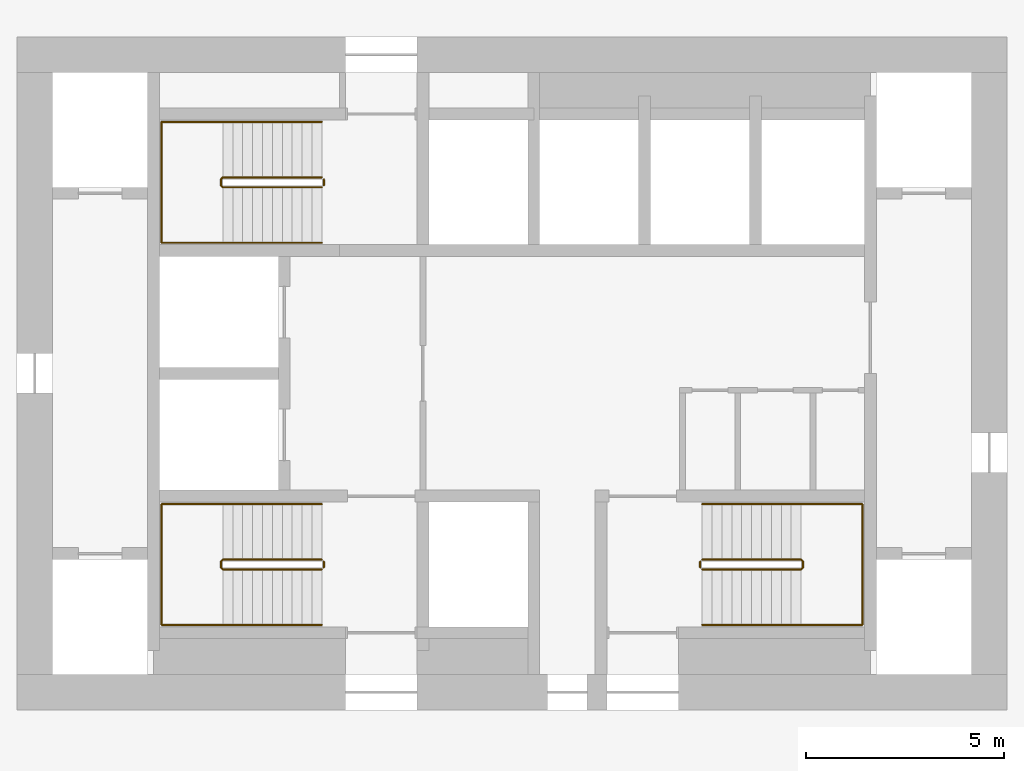
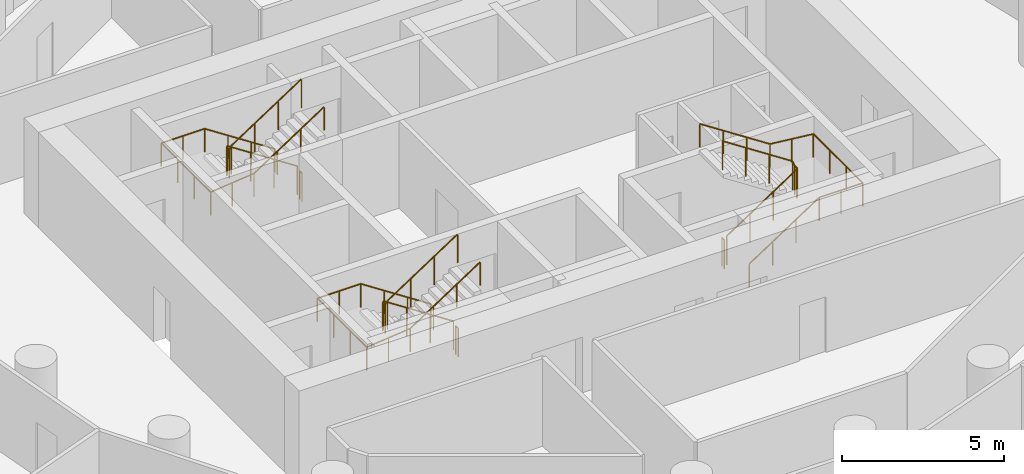
# One storey, part 9 of 9: 9 railings.
"""IFC4 building model written with IfcOpenShell, lengths in metres."""

from ifc_helpers import new_model, si_unit, direction, frame, origin, origin_2d, place, context, subcontext, project, spatial, circle, extrude, material, type_object, element, save


model = new_model("IFC4")

# Units and contexts
model_context = context("Model", 3, precision=1e-05, world=origin(), true_north=direction((0.0, 1.0)))
body_context = subcontext(model_context, "Body", "Model", "MODEL_VIEW")
ifc_project = project(units=[si_unit("LENGTHUNIT", "METRE"), si_unit("AREAUNIT", "SQUARE_METRE"), si_unit("VOLUMEUNIT", "CUBIC_METRE"), si_unit("PLANEANGLEUNIT", "RADIAN"), si_unit("MASSUNIT", "GRAM", prefix="KILO")], contexts=[model_context])

# Site, building, storey
site_placement = place(None, origin())
site = spatial("IfcSite", under=ifc_project, at=site_placement, CompositionType="ELEMENT")
building_placement = place(site_placement, origin())
building = spatial("IfcBuilding", under=site, at=building_placement, Name="Tracery Tower", CompositionType="ELEMENT")
storey_placement = place(building_placement, frame((0.0, 0.0, 169.199951171875)))
storey = spatial("IfcBuildingStorey", under=building, at=storey_placement, Name="L43", CompositionType="ELEMENT", Elevation=169.199951171875)

# Railings
ifc_material_1 = material(Name="Stainless steel and laminated glass", Category="steel")
railing_type_1 = type_object("IfcRailingType", Name="Stair guard 1100", PredefinedType="GUARDRAIL", material=ifc_material_1)
railing_1_placement = place(storey_placement, frame((-4.800048828125, -4.699951171875, 0.16357421875)))
element("IfcRailing", 1, at=railing_1_placement, inside=storey, type_object=railing_type_1, Name="L43 stair ST1 guard 1", PredefinedType="GUARDRAIL", context=body_context, shape_type="SweptSolid", body=[
    extrude(circle(Radius=0.02392578125, at=origin_2d()), frame((0.0, 0.0, 1.076171875), z_axis=(-0.83668449804, 0.0, 0.54768517484), x_axis=(0.0, -1.0, 0.0)), (0.0, 0.0, 1.0), 2.988037109375),
    extrude(circle(Radius=0.02392578125, at=origin_2d()), frame((-2.5, 0.0, 2.71240234375), z_axis=(-0.707106781187, -0.707106781187, 0.0), x_axis=(0.707106781187, -0.707106781187, 0.0)), (0.0, 0.0, 1.0), 0.07080078125),
    extrude(circle(Radius=0.02392578125, at=origin_2d()), frame((-2.550048828125, -0.050048828125, 2.71240234375), z_axis=(0.0, -1.0, 0.0), x_axis=(1.0, 0.0, 0.0)), (0.0, 0.0, 1.0), 0.14990234375),
    extrude(circle(Radius=0.02392578125, at=origin_2d()), frame((-2.550048828125, -0.199951171875, 2.71240234375), z_axis=(0.280808744504, -0.280808744504, 0.917765164963), x_axis=(0.707106781187, 0.707106781187, 0.0)), (0.0, 0.0, 1.0), 0.17822265625),
    extrude(circle(Radius=0.02392578125, at=origin_2d()), frame((-2.5, -0.25, 2.8759765625), z_axis=(0.83668449804, 0.0, 0.54768517484), x_axis=(0.0, 1.0, 0.0)), (0.0, 0.0, 1.0), 2.988037109375),
    extrude(circle(Radius=0.02099609375, at=origin_2d()), origin(), (0.0, 0.0, 1.0), 1.052001953125),
    extrude(circle(Radius=0.02099609375, at=origin_2d()), frame((-0.833251953125, 0.0, 0.54541015625)), (0.0, 0.0, 1.0), 1.052001953125),
    extrude(circle(Radius=0.02099609375, at=origin_2d()), frame((-1.666748046875, 0.0, 1.091064453125)), (0.0, 0.0, 1.0), 1.052001953125),
    extrude(circle(Radius=0.02099609375, at=origin_2d()), frame((-2.5, 0.0, 1.636474609375)), (0.0, 0.0, 1.0), 1.052001953125),
    extrude(circle(Radius=0.02099609375, at=origin_2d()), frame((-2.550048828125, -0.050048828125, 1.636474609375)), (0.0, 0.0, 1.0), 1.052001953125),
    extrude(circle(Radius=0.02099609375, at=origin_2d()), frame((-2.550048828125, -0.199951171875, 1.636474609375)), (0.0, 0.0, 1.0), 1.052001953125),
    extrude(circle(Radius=0.02099609375, at=origin_2d()), frame((-2.5, -0.25, 1.800048828125)), (0.0, 0.0, 1.0), 1.052001953125),
    extrude(circle(Radius=0.02099609375, at=origin_2d()), frame((-1.666748046875, -0.25, 2.345458984375)), (0.0, 0.0, 1.0), 1.052001953125),
    extrude(circle(Radius=0.02099609375, at=origin_2d()), frame((-0.833251953125, -0.25, 2.89111328125)), (0.0, 0.0, 1.0), 1.052001953125),
    extrude(circle(Radius=0.02099609375, at=origin_2d()), frame((0.0, -0.25, 3.4365234375)), (0.0, 0.0, 1.0), 1.052001953125),
])
railing_2_placement = place(storey_placement, frame((-4.75, -4.75, 0.0)))
element("IfcRailing", 2, at=railing_2_placement, inside=storey, type_object=railing_type_1, Name="L43 stair ST1 guard 2", PredefinedType="GUARDRAIL", context=body_context, shape_type="SweptSolid", body=[
    extrude(circle(Radius=0.02392578125, at=origin_2d()), frame((0.0, 0.0, 1.076171875), z_axis=(0.0, -1.0, 0.0), x_axis=(1.0, 0.0, 0.0)), (0.0, 0.0, 1.0), 0.14990234375),
    extrude(circle(Radius=0.02099609375, at=origin_2d()), origin(), (0.0, 0.0, 1.0), 1.052001953125),
    extrude(circle(Radius=0.02099609375, at=origin_2d()), frame((0.0, -0.14990234375, 0.0)), (0.0, 0.0, 1.0), 1.052001953125),
])
railing_3_placement = place(storey_placement, frame((-4.800048828125, 4.949951171875, 0.16357421875)))
element("IfcRailing", 3, at=railing_3_placement, inside=storey, type_object=railing_type_1, Name="L43 stair ST3 guard 1", PredefinedType="GUARDRAIL", context=body_context, shape_type="SweptSolid", body=[
    extrude(circle(Radius=0.02392578125, at=origin_2d()), frame((0.0, 0.0, 1.076171875), z_axis=(-0.83668449804, 0.0, 0.54768517484), x_axis=(0.0, -1.0, 0.0)), (0.0, 0.0, 1.0), 2.988037109375),
    extrude(circle(Radius=0.02392578125, at=origin_2d()), frame((-2.5, 0.0, 2.71240234375), z_axis=(-0.707106781187, -0.707106781187, 0.0), x_axis=(0.707106781187, -0.707106781187, 0.0)), (0.0, 0.0, 1.0), 0.07080078125),
    extrude(circle(Radius=0.02392578125, at=origin_2d()), frame((-2.550048828125, -0.050048828125, 2.71240234375), z_axis=(0.0, -1.0, 0.0), x_axis=(1.0, 0.0, 0.0)), (0.0, 0.0, 1.0), 0.14990234375),
    extrude(circle(Radius=0.02392578125, at=origin_2d()), frame((-2.550048828125, -0.199951171875, 2.71240234375), z_axis=(0.280808744504, -0.280808744504, 0.917765164963), x_axis=(0.707106781187, 0.707106781187, 0.0)), (0.0, 0.0, 1.0), 0.17822265625),
    extrude(circle(Radius=0.02392578125, at=origin_2d()), frame((-2.5, -0.25, 2.8759765625), z_axis=(0.83668449804, 0.0, 0.54768517484), x_axis=(0.0, 1.0, 0.0)), (0.0, 0.0, 1.0), 2.988037109375),
    extrude(circle(Radius=0.02099609375, at=origin_2d()), origin(), (0.0, 0.0, 1.0), 1.052001953125),
    extrude(circle(Radius=0.02099609375, at=origin_2d()), frame((-0.833251953125, 0.0, 0.54541015625)), (0.0, 0.0, 1.0), 1.052001953125),
    extrude(circle(Radius=0.02099609375, at=origin_2d()), frame((-1.666748046875, 0.0, 1.091064453125)), (0.0, 0.0, 1.0), 1.052001953125),
    extrude(circle(Radius=0.02099609375, at=origin_2d()), frame((-2.5, 0.0, 1.636474609375)), (0.0, 0.0, 1.0), 1.052001953125),
    extrude(circle(Radius=0.02099609375, at=origin_2d()), frame((-2.550048828125, -0.050048828125, 1.636474609375)), (0.0, 0.0, 1.0), 1.052001953125),
    extrude(circle(Radius=0.02099609375, at=origin_2d()), frame((-2.550048828125, -0.199951171875, 1.636474609375)), (0.0, 0.0, 1.0), 1.052001953125),
    extrude(circle(Radius=0.02099609375, at=origin_2d()), frame((-2.5, -0.25, 1.800048828125)), (0.0, 0.0, 1.0), 1.052001953125),
    extrude(circle(Radius=0.02099609375, at=origin_2d()), frame((-1.666748046875, -0.25, 2.345458984375)), (0.0, 0.0, 1.0), 1.052001953125),
    extrude(circle(Radius=0.02099609375, at=origin_2d()), frame((-0.833251953125, -0.25, 2.89111328125)), (0.0, 0.0, 1.0), 1.052001953125),
    extrude(circle(Radius=0.02099609375, at=origin_2d()), frame((0.0, -0.25, 3.4365234375)), (0.0, 0.0, 1.0), 1.052001953125),
])
railing_4_placement = place(storey_placement, frame((-4.75, 4.89990234375, 0.0)))
element("IfcRailing", 4, at=railing_4_placement, inside=storey, type_object=railing_type_1, Name="L43 stair ST3 guard 2", PredefinedType="GUARDRAIL", context=body_context, shape_type="SweptSolid", body=[
    extrude(circle(Radius=0.02392578125, at=origin_2d()), frame((0.0, 0.0, 1.076171875), z_axis=(0.0, -1.0, 0.0), x_axis=(1.0, 0.0, 0.0)), (0.0, 0.0, 1.0), 0.14990234375),
    extrude(circle(Radius=0.02099609375, at=origin_2d()), origin(), (0.0, 0.0, 1.0), 1.052001953125),
    extrude(circle(Radius=0.02099609375, at=origin_2d()), frame((0.0, -0.14990234375, 0.0)), (0.0, 0.0, 1.0), 1.052001953125),
])
railing_5_placement = place(storey_placement, frame((4.800048828125, -4.949951171875, 0.16357421875)))
element("IfcRailing", 5, at=railing_5_placement, inside=storey, type_object=railing_type_1, Name="L43 stair ST2 guard 1", PredefinedType="GUARDRAIL", context=body_context, shape_type="SweptSolid", body=[
    extrude(circle(Radius=0.02392578125, at=origin_2d()), frame((0.0, 0.0, 1.076171875), z_axis=(0.83668449804, 0.0, 0.54768517484), x_axis=(0.0, 1.0, 0.0)), (0.0, 0.0, 1.0), 2.988037109375),
    extrude(circle(Radius=0.02392578125, at=origin_2d()), frame((2.5, 0.0, 2.71240234375), z_axis=(0.707106781187, 0.707106781187, 0.0), x_axis=(-0.707106781187, 0.707106781187, 0.0)), (0.0, 0.0, 1.0), 0.07080078125),
    extrude(circle(Radius=0.02392578125, at=origin_2d()), frame((2.550048828125, 0.050048828125, 2.71240234375), z_axis=(0.0, 1.0, 0.0), x_axis=(-1.0, 0.0, 0.0)), (0.0, 0.0, 1.0), 0.14990234375),
    extrude(circle(Radius=0.02392578125, at=origin_2d()), frame((2.550048828125, 0.199951171875, 2.71240234375), z_axis=(-0.280808744504, 0.280808744504, 0.917765164963), x_axis=(-0.707106781187, -0.707106781187, 0.0)), (0.0, 0.0, 1.0), 0.17822265625),
    extrude(circle(Radius=0.02392578125, at=origin_2d()), frame((2.5, 0.25, 2.8759765625), z_axis=(-0.83668449804, 0.0, 0.54768517484), x_axis=(0.0, -1.0, 0.0)), (0.0, 0.0, 1.0), 2.988037109375),
    extrude(circle(Radius=0.02099609375, at=origin_2d()), origin(), (0.0, 0.0, 1.0), 1.052001953125),
    extrude(circle(Radius=0.02099609375, at=origin_2d()), frame((0.833251953125, 0.0, 0.54541015625)), (0.0, 0.0, 1.0), 1.052001953125),
    extrude(circle(Radius=0.02099609375, at=origin_2d()), frame((1.666748046875, 0.0, 1.091064453125)), (0.0, 0.0, 1.0), 1.052001953125),
    extrude(circle(Radius=0.02099609375, at=origin_2d()), frame((2.5, 0.0, 1.636474609375)), (0.0, 0.0, 1.0), 1.052001953125),
    extrude(circle(Radius=0.02099609375, at=origin_2d()), frame((2.550048828125, 0.050048828125, 1.636474609375)), (0.0, 0.0, 1.0), 1.052001953125),
    extrude(circle(Radius=0.02099609375, at=origin_2d()), frame((2.550048828125, 0.199951171875, 1.636474609375)), (0.0, 0.0, 1.0), 1.052001953125),
    extrude(circle(Radius=0.02099609375, at=origin_2d()), frame((2.5, 0.25, 1.800048828125)), (0.0, 0.0, 1.0), 1.052001953125),
    extrude(circle(Radius=0.02099609375, at=origin_2d()), frame((1.666748046875, 0.25, 2.345458984375)), (0.0, 0.0, 1.0), 1.052001953125),
    extrude(circle(Radius=0.02099609375, at=origin_2d()), frame((0.833251953125, 0.25, 2.89111328125)), (0.0, 0.0, 1.0), 1.052001953125),
    extrude(circle(Radius=0.02099609375, at=origin_2d()), frame((0.0, 0.25, 3.4365234375)), (0.0, 0.0, 1.0), 1.052001953125),
])
railing_6_placement = place(storey_placement, frame((4.75, -4.89990234375, 0.0)))
element("IfcRailing", 6, at=railing_6_placement, inside=storey, type_object=railing_type_1, Name="L43 stair ST2 guard 2", PredefinedType="GUARDRAIL", context=body_context, shape_type="SweptSolid", body=[
    extrude(circle(Radius=0.02392578125, at=origin_2d()), frame((0.0, 0.0, 1.076171875), z_axis=(0.0, 1.0, 0.0), x_axis=(-1.0, 0.0, 0.0)), (0.0, 0.0, 1.0), 0.14990234375),
    extrude(circle(Radius=0.02099609375, at=origin_2d()), origin(), (0.0, 0.0, 1.0), 1.052001953125),
    extrude(circle(Radius=0.02099609375, at=origin_2d()), frame((0.0, 0.14990234375, 0.0)), (0.0, 0.0, 1.0), 1.052001953125),
])
ifc_material_2 = material(Name="Stainless steel and laminated glass", Category="steel")
railing_type_2 = type_object("IfcRailingType", Name="Stair handrail 900", PredefinedType="HANDRAIL", material=ifc_material_2)
railing_7_placement = place(storey_placement, frame((-4.800048828125, -3.300048828125, 0.16357421875)))
element("IfcRailing", 7, at=railing_7_placement, inside=storey, type_object=railing_type_2, Name="L43 stair ST1 handrail 1", PredefinedType="HANDRAIL", context=body_context, shape_type="SweptSolid", body=[
    extrude(circle(Radius=0.02392578125, at=origin_2d()), frame((0.0, 0.0, 0.8759765625), z_axis=(-0.83668449804, 0.0, 0.54768517484), x_axis=(0.0, -1.0, 0.0)), (0.0, 0.0, 1.0), 2.988037109375),
    extrude(circle(Radius=0.02392578125, at=origin_2d()), frame((-2.5, 0.0, 2.51220703125), z_axis=(-1.0, 0.0, 0.0), x_axis=(0.0, -1.0, 0.0)), (0.0, 0.0, 1.0), 1.550048828125),
    extrude(circle(Radius=0.02392578125, at=origin_2d()), frame((-4.050048828125, 0.0, 2.51220703125), z_axis=(0.0, -1.0, 0.0), x_axis=(1.0, 0.0, 0.0)), (0.0, 0.0, 1.0), 3.050048828125),
    extrude(circle(Radius=0.02392578125, at=origin_2d()), frame((-4.050048828125, -3.050048828125, 2.51220703125), z_axis=(0.994477953863, 0.0, 0.104945696817), x_axis=(0.0, 1.0, 0.0)), (0.0, 0.0, 1.0), 1.55859375),
    extrude(circle(Radius=0.02392578125, at=origin_2d()), frame((-2.5, -3.050048828125, 2.67578125), z_axis=(0.83668449804, 0.0, 0.54768517484), x_axis=(0.0, 1.0, 0.0)), (0.0, 0.0, 1.0), 2.988037109375),
    extrude(circle(Radius=0.02099609375, at=origin_2d()), origin(), (0.0, 0.0, 1.0), 0.851806640625),
    extrude(circle(Radius=0.02099609375, at=origin_2d()), frame((-0.833251953125, 0.0, 0.54541015625)), (0.0, 0.0, 1.0), 0.851806640625),
    extrude(circle(Radius=0.02099609375, at=origin_2d()), frame((-1.666748046875, 0.0, 1.091064453125)), (0.0, 0.0, 1.0), 0.851806640625),
    extrude(circle(Radius=0.02099609375, at=origin_2d()), frame((-2.5, 0.0, 1.636474609375)), (0.0, 0.0, 1.0), 0.851806640625),
    extrude(circle(Radius=0.02099609375, at=origin_2d()), frame((-3.27490234375, 0.0, 1.636474609375)), (0.0, 0.0, 1.0), 0.851806640625),
    extrude(circle(Radius=0.02099609375, at=origin_2d()), frame((-4.050048828125, 0.0, 1.636474609375)), (0.0, 0.0, 1.0), 0.851806640625),
    extrude(circle(Radius=0.02099609375, at=origin_2d()), frame((-4.050048828125, -1.0166015625, 1.636474609375)), (0.0, 0.0, 1.0), 0.851806640625),
    extrude(circle(Radius=0.02099609375, at=origin_2d()), frame((-4.050048828125, -2.033447265625, 1.636474609375)), (0.0, 0.0, 1.0), 0.851806640625),
    extrude(circle(Radius=0.02099609375, at=origin_2d()), frame((-4.050048828125, -3.050048828125, 1.636474609375)), (0.0, 0.0, 1.0), 0.851806640625),
    extrude(circle(Radius=0.02099609375, at=origin_2d()), frame((-3.27490234375, -3.050048828125, 1.71826171875)), (0.0, 0.0, 1.0), 0.851806640625),
    extrude(circle(Radius=0.02099609375, at=origin_2d()), frame((-2.5, -3.050048828125, 1.800048828125)), (0.0, 0.0, 1.0), 0.851806640625),
    extrude(circle(Radius=0.02099609375, at=origin_2d()), frame((-1.666748046875, -3.050048828125, 2.345458984375)), (0.0, 0.0, 1.0), 0.851806640625),
    extrude(circle(Radius=0.02099609375, at=origin_2d()), frame((-0.833251953125, -3.050048828125, 2.89111328125)), (0.0, 0.0, 1.0), 0.851806640625),
    extrude(circle(Radius=0.02099609375, at=origin_2d()), frame((0.0, -3.050048828125, 3.4365234375)), (0.0, 0.0, 1.0), 0.851806640625),
])
railing_8_placement = place(storey_placement, frame((-4.800048828125, 6.35009765625, 0.16357421875)))
element("IfcRailing", 8, at=railing_8_placement, inside=storey, type_object=railing_type_2, Name="L43 stair ST3 handrail 1", PredefinedType="HANDRAIL", context=body_context, shape_type="SweptSolid", body=[
    extrude(circle(Radius=0.02392578125, at=origin_2d()), frame((0.0, 0.0, 0.8759765625), z_axis=(-0.83668449804, 0.0, 0.54768517484), x_axis=(0.0, -1.0, 0.0)), (0.0, 0.0, 1.0), 2.988037109375),
    extrude(circle(Radius=0.02392578125, at=origin_2d()), frame((-2.5, 0.0, 2.51220703125), z_axis=(-1.0, 0.0, 0.0), x_axis=(0.0, -1.0, 0.0)), (0.0, 0.0, 1.0), 1.550048828125),
    extrude(circle(Radius=0.02392578125, at=origin_2d()), frame((-4.050048828125, 0.0, 2.51220703125), z_axis=(0.0, -1.0, 0.0), x_axis=(1.0, 0.0, 0.0)), (0.0, 0.0, 1.0), 3.050048828125),
    extrude(circle(Radius=0.02392578125, at=origin_2d()), frame((-4.050048828125, -3.050048828125, 2.51220703125), z_axis=(0.994477953863, 0.0, 0.104945696817), x_axis=(0.0, 1.0, 0.0)), (0.0, 0.0, 1.0), 1.55859375),
    extrude(circle(Radius=0.02392578125, at=origin_2d()), frame((-2.5, -3.050048828125, 2.67578125), z_axis=(0.83668449804, 0.0, 0.54768517484), x_axis=(0.0, 1.0, 0.0)), (0.0, 0.0, 1.0), 2.988037109375),
    extrude(circle(Radius=0.02099609375, at=origin_2d()), origin(), (0.0, 0.0, 1.0), 0.851806640625),
    extrude(circle(Radius=0.02099609375, at=origin_2d()), frame((-0.833251953125, 0.0, 0.54541015625)), (0.0, 0.0, 1.0), 0.851806640625),
    extrude(circle(Radius=0.02099609375, at=origin_2d()), frame((-1.666748046875, 0.0, 1.091064453125)), (0.0, 0.0, 1.0), 0.851806640625),
    extrude(circle(Radius=0.02099609375, at=origin_2d()), frame((-2.5, 0.0, 1.636474609375)), (0.0, 0.0, 1.0), 0.851806640625),
    extrude(circle(Radius=0.02099609375, at=origin_2d()), frame((-3.27490234375, 0.0, 1.636474609375)), (0.0, 0.0, 1.0), 0.851806640625),
    extrude(circle(Radius=0.02099609375, at=origin_2d()), frame((-4.050048828125, 0.0, 1.636474609375)), (0.0, 0.0, 1.0), 0.851806640625),
    extrude(circle(Radius=0.02099609375, at=origin_2d()), frame((-4.050048828125, -1.0166015625, 1.636474609375)), (0.0, 0.0, 1.0), 0.851806640625),
    extrude(circle(Radius=0.02099609375, at=origin_2d()), frame((-4.050048828125, -2.033447265625, 1.636474609375)), (0.0, 0.0, 1.0), 0.851806640625),
    extrude(circle(Radius=0.02099609375, at=origin_2d()), frame((-4.050048828125, -3.050048828125, 1.636474609375)), (0.0, 0.0, 1.0), 0.851806640625),
    extrude(circle(Radius=0.02099609375, at=origin_2d()), frame((-3.27490234375, -3.050048828125, 1.71826171875)), (0.0, 0.0, 1.0), 0.851806640625),
    extrude(circle(Radius=0.02099609375, at=origin_2d()), frame((-2.5, -3.050048828125, 1.800048828125)), (0.0, 0.0, 1.0), 0.851806640625),
    extrude(circle(Radius=0.02099609375, at=origin_2d()), frame((-1.666748046875, -3.050048828125, 2.345458984375)), (0.0, 0.0, 1.0), 0.851806640625),
    extrude(circle(Radius=0.02099609375, at=origin_2d()), frame((-0.833251953125, -3.050048828125, 2.89111328125)), (0.0, 0.0, 1.0), 0.851806640625),
    extrude(circle(Radius=0.02099609375, at=origin_2d()), frame((0.0, -3.050048828125, 3.4365234375)), (0.0, 0.0, 1.0), 0.851806640625),
])
railing_9_placement = place(storey_placement, frame((4.800048828125, -6.35009765625, 0.16357421875)))
element("IfcRailing", 9, at=railing_9_placement, inside=storey, type_object=railing_type_2, Name="L43 stair ST2 handrail 1", PredefinedType="HANDRAIL", context=body_context, shape_type="SweptSolid", body=[
    extrude(circle(Radius=0.02392578125, at=origin_2d()), frame((0.0, 0.0, 0.8759765625), z_axis=(0.83668449804, 0.0, 0.54768517484), x_axis=(0.0, 1.0, 0.0)), (0.0, 0.0, 1.0), 2.988037109375),
    extrude(circle(Radius=0.02392578125, at=origin_2d()), frame((2.5, 0.0, 2.51220703125), z_axis=(1.0, 0.0, 0.0), x_axis=(0.0, 1.0, 0.0)), (0.0, 0.0, 1.0), 1.550048828125),
    extrude(circle(Radius=0.02392578125, at=origin_2d()), frame((4.050048828125, 0.0, 2.51220703125), z_axis=(0.0, 1.0, 0.0), x_axis=(-1.0, 0.0, 0.0)), (0.0, 0.0, 1.0), 3.050048828125),
    extrude(circle(Radius=0.02392578125, at=origin_2d()), frame((4.050048828125, 3.050048828125, 2.51220703125), z_axis=(-0.994477953863, 0.0, 0.104945696817), x_axis=(0.0, -1.0, 0.0)), (0.0, 0.0, 1.0), 1.55859375),
    extrude(circle(Radius=0.02392578125, at=origin_2d()), frame((2.5, 3.050048828125, 2.67578125), z_axis=(-0.83668449804, 0.0, 0.54768517484), x_axis=(0.0, -1.0, 0.0)), (0.0, 0.0, 1.0), 2.988037109375),
    extrude(circle(Radius=0.02099609375, at=origin_2d()), origin(), (0.0, 0.0, 1.0), 0.851806640625),
    extrude(circle(Radius=0.02099609375, at=origin_2d()), frame((0.833251953125, 0.0, 0.54541015625)), (0.0, 0.0, 1.0), 0.851806640625),
    extrude(circle(Radius=0.02099609375, at=origin_2d()), frame((1.666748046875, 0.0, 1.091064453125)), (0.0, 0.0, 1.0), 0.851806640625),
    extrude(circle(Radius=0.02099609375, at=origin_2d()), frame((2.5, 0.0, 1.636474609375)), (0.0, 0.0, 1.0), 0.851806640625),
    extrude(circle(Radius=0.02099609375, at=origin_2d()), frame((3.27490234375, 0.0, 1.636474609375)), (0.0, 0.0, 1.0), 0.851806640625),
    extrude(circle(Radius=0.02099609375, at=origin_2d()), frame((4.050048828125, 0.0, 1.636474609375)), (0.0, 0.0, 1.0), 0.851806640625),
    extrude(circle(Radius=0.02099609375, at=origin_2d()), frame((4.050048828125, 1.0166015625, 1.636474609375)), (0.0, 0.0, 1.0), 0.851806640625),
    extrude(circle(Radius=0.02099609375, at=origin_2d()), frame((4.050048828125, 2.033447265625, 1.636474609375)), (0.0, 0.0, 1.0), 0.851806640625),
    extrude(circle(Radius=0.02099609375, at=origin_2d()), frame((4.050048828125, 3.050048828125, 1.636474609375)), (0.0, 0.0, 1.0), 0.851806640625),
    extrude(circle(Radius=0.02099609375, at=origin_2d()), frame((3.27490234375, 3.050048828125, 1.71826171875)), (0.0, 0.0, 1.0), 0.851806640625),
    extrude(circle(Radius=0.02099609375, at=origin_2d()), frame((2.5, 3.050048828125, 1.800048828125)), (0.0, 0.0, 1.0), 0.851806640625),
    extrude(circle(Radius=0.02099609375, at=origin_2d()), frame((1.666748046875, 3.050048828125, 2.345458984375)), (0.0, 0.0, 1.0), 0.851806640625),
    extrude(circle(Radius=0.02099609375, at=origin_2d()), frame((0.833251953125, 3.050048828125, 2.89111328125)), (0.0, 0.0, 1.0), 0.851806640625),
    extrude(circle(Radius=0.02099609375, at=origin_2d()), frame((0.0, 3.050048828125, 3.4365234375)), (0.0, 0.0, 1.0), 0.851806640625),
])

save(model, "model.ifc")
